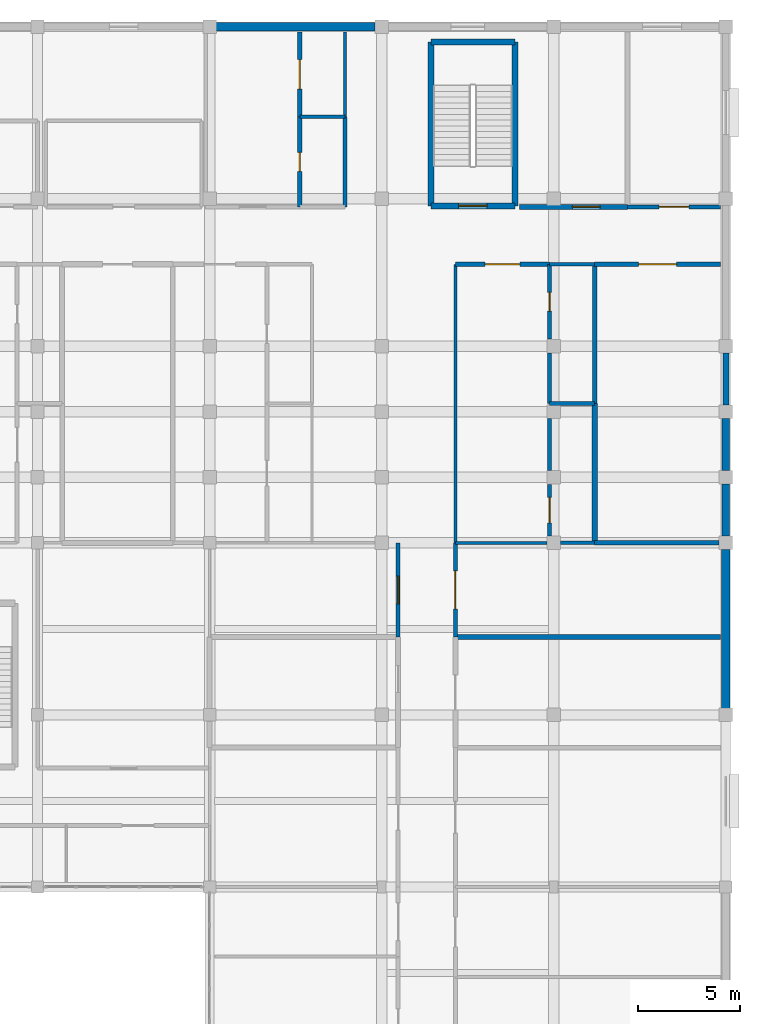
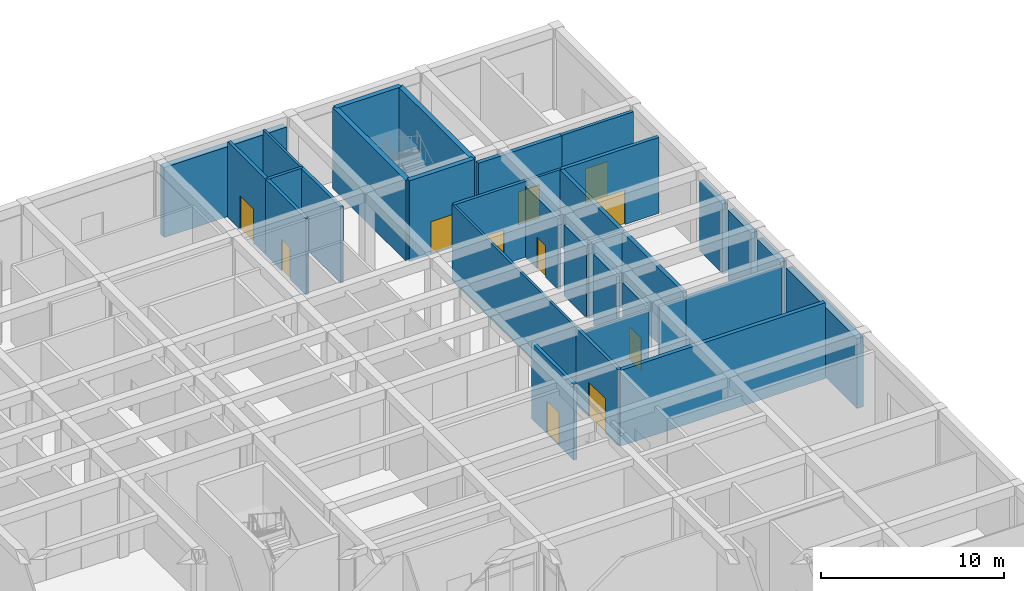
# One storey, part 70 of 89: 33 walls, 11 doors, 11 openings.
"""IFC4 building model written with IfcOpenShell, lengths in metres."""

from ifc_helpers import new_model, si_unit, direction, frame, frame_2d, origin, place, context, subcontext, project, spatial, rectangle, extrude, material, layer, layer_set, type_object, element, fill, save


model = new_model("IFC4")

# Units and contexts
model_context = context("Model", 3, precision=1e-05, world=origin(), true_north=direction((0.0, 1.0)))
body_context = subcontext(model_context, "Body", "Model", "MODEL_VIEW")
ifc_project = project(units=[si_unit("LENGTHUNIT", "METRE"), si_unit("AREAUNIT", "SQUARE_METRE"), si_unit("VOLUMEUNIT", "CUBIC_METRE"), si_unit("PLANEANGLEUNIT", "RADIAN"), si_unit("MASSUNIT", "GRAM", prefix="KILO")], contexts=[model_context])

# Site, building, storey
site_placement = place(None, origin())
site = spatial("IfcSite", under=ifc_project, at=site_placement, CompositionType="ELEMENT")
building_placement = place(site_placement, origin())
building = spatial("IfcBuilding", under=site, at=building_placement, Name="Varncliffe General Hospital", CompositionType="ELEMENT")
storey_placement = place(building_placement, frame((0.0, 0.0, 10.800048828125)))
storey = spatial("IfcBuildingStorey", under=building, at=storey_placement, Name="L02", CompositionType="ELEMENT", Elevation=10.800048828125)

# Walls
ifc_material_1 = material(Name="Precast concrete C40/50 with insulated cream lime-cement stucco", Category="concrete")
ifc_layer_1 = layer(ifc_material_1, 0.3798828125)
ifc_layer_set_1 = layer_set([ifc_layer_1], Name="Precast concrete C40/50 with insulated cream lime-cement stucco")
wall_type_1 = type_object("IfcWallType", Name="Exterior Insulated Stucco Wall EW26 (380mm)", PredefinedType="SOLIDWALL", material=ifc_layer_set_1)
wall_1_placement = place(storey_placement, frame((176.39990234375, 105.677001953125, 0.0), z_axis=(0.0, 0.0, 1.0), x_axis=(0.0, -1.0, 0.0)))
element("IfcWall", 1, at=wall_1_placement, inside=storey, type_object=wall_type_1, Name="L02 Exterior Stucco Wall EW26-197", PredefinedType="SOLIDWALL", context=body_context, shape_type="SweptSolid", body=[
    extrude(rectangle(XDim=2.553955078125, YDim=0.3798828125, at=frame_2d((1.27685546875, 0.0))), origin(), (0.0, 0.0, 1.0), 4.679931640625),
])
ifc_layer_2 = layer(ifc_material_1, 0.2900390625)
ifc_layer_set_2 = layer_set([ifc_layer_2], Name="Precast concrete C40/50 with insulated cream lime-cement stucco")
wall_type_2 = type_object("IfcWallType", Name="Exterior Insulated Stucco Wall EW31 (290mm)", PredefinedType="SOLIDWALL", material=ifc_layer_set_2)
wall_2_placement = place(storey_placement, frame((176.39990234375, 108.876953125, 0.0), z_axis=(0.0, 0.0, 1.0), x_axis=(0.0, -1.0, 0.0)))
element("IfcWall", 2, at=wall_2_placement, inside=storey, type_object=wall_type_2, Name="L02 Exterior Stucco Wall EW31-196", PredefinedType="SOLIDWALL", context=body_context, shape_type="SweptSolid", body=[
    extrude(rectangle(XDim=2.553955078125, YDim=0.2900390625, at=frame_2d((1.27685546875, 0.0))), origin(), (0.0, 0.0, 1.0), 4.679931640625),
])
ifc_layer_3 = layer(ifc_material_1, 0.35009765625)
ifc_layer_set_3 = layer_set([ifc_layer_3], Name="Precast concrete C40/50 with insulated cream lime-cement stucco")
wall_type_3 = type_object("IfcWallType", Name="Exterior Insulated Stucco Wall EW37 (350mm)", PredefinedType="SOLIDWALL", material=ifc_layer_set_3)
wall_3_placement = place(storey_placement, frame((176.39990234375, 102.47705078125, 0.0), z_axis=(0.0, 0.0, 1.0), x_axis=(0.0, -1.0, 0.0)))
element("IfcWall", 3, at=wall_3_placement, inside=storey, type_object=wall_type_3, Name="L02 Exterior Stucco Wall EW37-198", PredefinedType="SOLIDWALL", context=body_context, shape_type="SweptSolid", body=[
    extrude(rectangle(XDim=2.553955078125, YDim=0.35009765625, at=frame_2d((1.27685546875, 0.0))), origin(), (0.0, 0.0, 1.0), 4.679931640625),
])
ifc_layer_4 = layer(ifc_material_1, 0.39990234375)
ifc_layer_set_4 = layer_set([ifc_layer_4], Name="Precast concrete C40/50 with insulated cream lime-cement stucco")
wall_type_4 = type_object("IfcWallType", Name="Exterior Insulated Stucco Wall EW47 (400mm)", PredefinedType="SOLIDWALL", material=ifc_layer_set_4)
for number, where, z_axis, x_axis, name in (
    (4, (151.52294921875, 124.800048828125, 0.0), (0.0, 0.0, 1.0), (1.0, 0.0, 0.0), "L02 Exterior Stucco Wall EW47-191"),
    (5, (176.39990234375, 99.277099609375, 0.0), (0.0, 0.0, 1.0), (0.0, -1.0, 0.0), "L02 Exterior Stucco Wall EW47-199"),
):
    element("IfcWall", number, at=place(storey_placement, frame(where, z_axis=z_axis, x_axis=x_axis)), inside=storey, type_object=wall_type_4, Name=name, PredefinedType="SOLIDWALL", context=body_context, shape_type="SweptSolid", body=[
        extrude(rectangle(XDim=7.754150390625, YDim=0.39990234375, at=frame_2d((3.876953125, 0.0))), origin(), (0.0, 0.0, 1.0), 4.679931640625),
    ])
ifc_material_2 = material(Name="Acoustic clinical gypsum stud partition assembly", Category="gypsum")
ifc_layer_5 = layer(ifc_material_2, 0.169921875)
ifc_layer_set_5 = layer_set([ifc_layer_5], Name="Acoustic clinical gypsum stud partition assembly")
wall_type_5 = type_object("IfcWallType", Name="Interior Partitioning IW20 (170mm)", PredefinedType="PARTITIONING", material=ifc_layer_set_5)
wall_4_placement = place(storey_placement, frame((168.340087890625, 99.60009765625, 0.0), z_axis=(0.0, 0.0, 1.0), x_axis=(1.0, 0.0, 0.0)))
element("IfcWall", 6, at=wall_4_placement, inside=storey, type_object=wall_type_5, Name="L02 Interior Partition Wall IW20-1045", PredefinedType="PARTITIONING", context=body_context, shape_type="SweptSolid", body=[
    extrude(rectangle(XDim=1.659912109375, YDim=0.169921875, at=frame_2d((0.830078125, 0.0))), origin(), (0.0, 0.0, 1.0), 4.73486328125),
])
ifc_layer_6 = layer(ifc_material_2, 0.14990234375)
ifc_layer_set_6 = layer_set([ifc_layer_6], Name="Acoustic clinical gypsum stud partition assembly")
wall_type_6 = type_object("IfcWallType", Name="Interior Partitioning IW35 (150mm)", PredefinedType="PARTITIONING", material=ifc_layer_set_6)
wall_5_placement = place(storey_placement, frame((163.199951171875, 99.60009765625, 0.0), z_axis=(0.0, 0.0, 1.0), x_axis=(1.0, 0.0, 0.0)))
element("IfcWall", 7, at=wall_5_placement, inside=storey, type_object=wall_type_6, Name="L02 Interior Partition Wall IW35-1044", PredefinedType="PARTITIONING", context=body_context, shape_type="SweptSolid", body=[
    extrude(rectangle(XDim=4.4599609375, YDim=0.14990234375, at=frame_2d((2.22998046875, 0.0))), origin(), (0.0, 0.0, 1.0), 4.73486328125),
])
wall_6_placement = place(storey_placement, frame((157.800048828125, 120.39990234375, 0.0), z_axis=(0.0, 0.0, 1.0), x_axis=(0.0, 1.0, 0.0)))
element("IfcWall", 8, at=wall_6_placement, inside=storey, type_object=wall_type_6, Name="L02 Interior Partition Wall IW35-1289", PredefinedType="PARTITIONING", context=body_context, shape_type="SweptSolid", body=[
    extrude(rectangle(XDim=4.14013671875, YDim=0.14990234375, at=frame_2d((2.070068359375, 0.0))), origin(), (0.0, 0.0, 1.0), 5.070068359375),
])
wall_7_placement = place(storey_placement, frame((163.199951171875, 99.60009765625, 0.0), z_axis=(0.0, 0.0, 1.0), x_axis=(0.0, 1.0, 0.0)))
element("IfcWall", 9, at=wall_7_placement, inside=storey, type_object=wall_type_6, Name="L02 Interior Partition Wall IW35-1314", PredefinedType="PARTITIONING", context=body_context, shape_type="SweptSolid", body=[
    extrude(rectangle(XDim=13.599853515625, YDim=0.14990234375, at=frame_2d((6.7998046875, 0.0))), origin(), (0.0, 0.0, 1.0), 5.070068359375),
])
ifc_material_3 = material(Name="Fire-rated gypsum and mineral-wool partition assembly", Category="gypsum")
ifc_layer_7 = layer(ifc_material_3, 0.25)
ifc_layer_set_7 = layer_set([ifc_layer_7], Name="Fire-rated gypsum and mineral-wool partition assembly")
wall_type_7 = type_object("IfcWallType", Name="Interior Partitioning PW38 (250mm)", PredefinedType="PARTITIONING", material=ifc_layer_set_7)
wall_8_placement = place(storey_placement, frame((163.199951171875, 95.0, 0.0), z_axis=(0.0, 0.0, 1.0), x_axis=(1.0, 0.0, 0.0)))
element("IfcWall", 10, at=wall_8_placement, inside=storey, type_object=wall_type_7, Name="L02 Interior Partition Wall PW38-991", PredefinedType="PARTITIONING", context=body_context, shape_type="SweptSolid", body=[
    extrude(rectangle(XDim=12.93994140625, YDim=0.25, at=frame_2d((6.469970703125, 0.0))), origin(), (0.0, 0.0, 1.0), 5.070068359375),
])

# Wall, opening, door
wall_9_placement = place(storey_placement, frame((166.334716796875, 116.0, 0.0), z_axis=(0.0, 0.0, 1.0), x_axis=(1.0, 0.0, 0.0)))
wall_9 = element("IfcWall", 11, at=wall_9_placement, inside=storey, type_object=wall_type_7, Name="L02 Interior Partition Wall PW38-1103", PredefinedType="PARTITIONING", context=body_context, shape_type="SweptSolid", body=[
    extrude(rectangle(XDim=5.265380859375, YDim=0.25, at=frame_2d((2.6328125, 0.0))), origin(), (0.0, 0.0, 1.0), 5.070068359375),
])
opening_1_placement = place(wall_9_placement, frame((2.576171875, 0.0, 0.0)))
opening_1 = element("IfcOpeningElement", 12, at=opening_1_placement, cuts=wall_9, Name="Opening DC85", PredefinedType="OPENING", context=body_context, shape_type="SweptSolid", body=[
    extrude(rectangle(XDim=1.35009765625, YDim=2.199951171875, at=frame_2d((0.675048828125, 1.10009765625))), frame((0.0, 0.135009765625, 0.0), z_axis=(0.0, -1.0, 0.0), x_axis=(1.0, 0.0, 0.0)), (0.0, 0.0, 1.0), 0.27001953125),
])
ifc_material_4 = material(Name="Fire-rated hospital steel-frame vision-panel door", Category="steel")
door_type_1 = type_object("IfcDoorType", Name="Interior Hospital Door DC85 (1350x2200)", OperationType="NOTDEFINED", PredefinedType="DOOR", material=ifc_material_4)
door_1_placement = place(opening_1_placement, origin())
door_1 = element("IfcDoor", 13, at=door_1_placement, inside=storey, type_object=door_type_1, Name="L02 Surgical Sub-Sterile Utility Store 157 Door", OperationType="SINGLE_SWING_RIGHT", OverallHeight=2.199951171875, OverallWidth=1.35009765625, PredefinedType="DOOR", context=body_context, shape_type="SweptSolid", body=[
    extrude(rectangle(XDim=1.35009765625, YDim=2.199951171875, at=frame_2d((0.675048828125, 1.10009765625))), frame((0.0, 0.02490234375, 0.0), z_axis=(0.0, -1.0, 0.0), x_axis=(1.0, 0.0, 0.0)), (0.0, 0.0, 1.0), 0.050048828125),
])
fill(opening_1, door_1)

# Walls
wall_10_placement = place(storey_placement, frame((170.0, 99.60009765625, 0.0), z_axis=(0.0, 0.0, 1.0), x_axis=(0.0, 1.0, 0.0)))
element("IfcWall", 14, at=wall_10_placement, inside=storey, type_object=wall_type_7, Name="L02 Interior Partition Wall PW38-1319", PredefinedType="PARTITIONING", context=body_context, shape_type="SweptSolid", body=[
    extrude(rectangle(XDim=6.7998046875, YDim=0.25, at=frame_2d((3.39990234375, 0.0))), origin(), (0.0, 0.0, 1.0), 5.070068359375),
])
ifc_layer_8 = layer(ifc_material_3, 0.22998046875)
ifc_layer_set_8 = layer_set([ifc_layer_8], Name="Fire-rated gypsum and mineral-wool partition assembly")
wall_type_8 = type_object("IfcWallType", Name="Interior Partitioning PW48 (230mm)", PredefinedType="PARTITIONING", material=ifc_layer_set_8)
wall_11_placement = place(storey_placement, frame((170.0, 99.60009765625, 0.0), z_axis=(0.0, 0.0, 1.0), x_axis=(1.0, 0.0, 0.0)))
element("IfcWall", 15, at=wall_11_placement, inside=storey, type_object=wall_type_8, Name="L02 Interior Partition Wall PW48-1046", PredefinedType="PARTITIONING", context=body_context, shape_type="SweptSolid", body=[
    extrude(rectangle(XDim=6.06005859375, YDim=0.22998046875, at=frame_2d((3.030029296875, 0.0))), origin(), (0.0, 0.0, 1.0), 4.73486328125),
])

# Wall, opening, door
wall_12_placement = place(storey_placement, frame((170.0, 113.199951171875, 0.0), z_axis=(0.0, 0.0, 1.0), x_axis=(1.0, 0.0, 0.0)))
wall_12 = element("IfcWall", 16, at=wall_12_placement, inside=storey, type_object=wall_type_8, Name="L02 Interior Partition Wall PW48-1090", PredefinedType="PARTITIONING", context=body_context, shape_type="SweptSolid", body=[
    extrude(rectangle(XDim=6.139892578125, YDim=0.22998046875, at=frame_2d((3.06982421875, 0.0))), origin(), (0.0, 0.0, 1.0), 5.070068359375),
])
opening_2_placement = place(wall_12_placement, frame((2.14501953125, 0.0, 0.0)))
opening_2 = element("IfcOpeningElement", 17, at=opening_2_placement, cuts=wall_12, Name="Opening DC38", PredefinedType="OPENING", context=body_context, shape_type="SweptSolid", body=[
    extrude(rectangle(XDim=1.85009765625, YDim=2.300048828125, at=frame_2d((0.925048828125, 1.14990234375))), frame((0.0, 0.125, 0.0), z_axis=(0.0, -1.0, 0.0), x_axis=(1.0, 0.0, 0.0)), (0.0, 0.0, 1.0), 0.25),
])
door_type_2 = type_object("IfcDoorType", Name="Interior Hospital Door DC38 (1850x2300)", OperationType="NOTDEFINED", PredefinedType="DOOR", material=ifc_material_4)
door_2_placement = place(opening_2_placement, frame((1.85009765625, 0.0, 0.0), z_axis=(0.0, 0.0, 1.0), x_axis=(-1.0, 0.0, 0.0)))
door_2 = element("IfcDoor", 18, at=door_2_placement, inside=storey, type_object=door_type_2, Name="L02 Surgical Sub-Sterile Utility Store 145 Door", OperationType="SINGLE_SWING_RIGHT", OverallHeight=2.300048828125, OverallWidth=1.85009765625, PredefinedType="DOOR", context=body_context, shape_type="SweptSolid", body=[
    extrude(rectangle(XDim=1.85009765625, YDim=2.300048828125, at=frame_2d((0.925048828125, 1.14990234375))), frame((0.0, 0.02490234375, 0.0), z_axis=(0.0, -1.0, 0.0), x_axis=(1.0, 0.0, 0.0)), (0.0, 0.0, 1.0), 0.050048828125),
])
fill(opening_2, door_2)

# Wall
wall_13_placement = place(storey_placement, frame((170.0, 106.39990234375, 0.0), z_axis=(0.0, 0.0, 1.0), x_axis=(0.0, 1.0, 0.0)))
element("IfcWall", 19, at=wall_13_placement, inside=storey, type_object=wall_type_8, Name="L02 Interior Partition Wall PW48-1320", PredefinedType="PARTITIONING", context=body_context, shape_type="SweptSolid", body=[
    extrude(rectangle(XDim=6.800048828125, YDim=0.22998046875, at=frame_2d((3.39990234375, 0.0))), origin(), (0.0, 0.0, 1.0), 5.070068359375),
])

# Wall, opening, door
ifc_layer_9 = layer(ifc_material_3, 0.199951171875)
ifc_layer_set_9 = layer_set([ifc_layer_9], Name="Fire-rated gypsum and mineral-wool partition assembly")
wall_type_9 = type_object("IfcWallType", Name="Interior Partitioning PW63 (200mm)", PredefinedType="PARTITIONING", material=ifc_layer_set_9)
wall_14_placement = place(storey_placement, frame((163.199951171875, 113.199951171875, 0.0), z_axis=(0.0, 0.0, 1.0), x_axis=(1.0, 0.0, 0.0)))
wall_14 = element("IfcWall", 20, at=wall_14_placement, inside=storey, type_object=wall_type_9, Name="L02 Interior Partition Wall PW63-1088", PredefinedType="PARTITIONING", context=body_context, shape_type="SweptSolid", body=[
    extrude(rectangle(XDim=4.60009765625, YDim=0.199951171875, at=frame_2d((2.300048828125, 0.0))), origin(), (0.0, 0.0, 1.0), 5.070068359375),
])
opening_3_placement = place(wall_14_placement, frame((1.449951171875, 0.0, 0.0)))
opening_3 = element("IfcOpeningElement", 21, at=opening_3_placement, cuts=wall_14, Name="Opening DC50", PredefinedType="OPENING", context=body_context, shape_type="SweptSolid", body=[
    extrude(rectangle(XDim=1.699951171875, YDim=2.300048828125, at=frame_2d((0.85009765625, 1.14990234375))), frame((0.0, 0.10986328125, 0.0), z_axis=(0.0, -1.0, 0.0), x_axis=(1.0, 0.0, 0.0)), (0.0, 0.0, 1.0), 0.219970703125),
])
door_type_3 = type_object("IfcDoorType", Name="Interior Hospital Door DC50 (1700x2300)", OperationType="NOTDEFINED", PredefinedType="DOOR", material=ifc_material_4)
door_3_placement = place(opening_3_placement, frame((1.699951171875, 0.0, 0.0), z_axis=(0.0, 0.0, 1.0), x_axis=(-1.0, 0.0, 0.0)))
door_3 = element("IfcDoor", 22, at=door_3_placement, inside=storey, type_object=door_type_3, Name="L02 Surgical Inpatient Ward Room 142 Door", OperationType="SINGLE_SWING_LEFT", OverallHeight=2.300048828125, OverallWidth=1.699951171875, PredefinedType="DOOR", context=body_context, shape_type="SweptSolid", body=[
    extrude(rectangle(XDim=1.699951171875, YDim=2.300048828125, at=frame_2d((0.85009765625, 1.14990234375))), frame((0.0, 0.02490234375, 0.0), z_axis=(0.0, -1.0, 0.0), x_axis=(1.0, 0.0, 0.0)), (0.0, 0.0, 1.0), 0.050048828125),
])
fill(opening_3, door_3)

wall_15_placement = place(storey_placement, frame((171.60009765625, 116.0, 0.0), z_axis=(0.0, 0.0, 1.0), x_axis=(1.0, 0.0, 0.0)))
wall_15 = element("IfcWall", 23, at=wall_15_placement, inside=storey, type_object=wall_type_9, Name="L02 Interior Partition Wall PW63-1104", PredefinedType="PARTITIONING", context=body_context, shape_type="SweptSolid", body=[
    extrude(rectangle(XDim=4.539794921875, YDim=0.199951171875, at=frame_2d((2.27001953125, 0.0))), origin(), (0.0, 0.0, 1.0), 5.070068359375),
])
opening_4_placement = place(wall_15_placement, frame((1.544921875, 0.0, 0.0)))
opening_4 = element("IfcOpeningElement", 24, at=opening_4_placement, cuts=wall_15, Name="Opening DC66", PredefinedType="OPENING", context=body_context, shape_type="SweptSolid", body=[
    extrude(rectangle(XDim=1.449951171875, YDim=2.25, at=frame_2d((0.72509765625, 1.125))), frame((0.0, 0.10986328125, 0.0), z_axis=(0.0, -1.0, 0.0), x_axis=(1.0, 0.0, 0.0)), (0.0, 0.0, 1.0), 0.219970703125),
])
door_type_4 = type_object("IfcDoorType", Name="Interior Hospital Door DC66 (1450x2250)", OperationType="NOTDEFINED", PredefinedType="DOOR", material=ifc_material_4)
door_4_placement = place(opening_4_placement, origin())
door_4 = element("IfcDoor", 25, at=door_4_placement, inside=storey, type_object=door_type_4, Name="L02 Surgical Inpatient Ward Room 158 Door", OperationType="SINGLE_SWING_LEFT", OverallHeight=2.25, OverallWidth=1.449951171875, PredefinedType="DOOR", context=body_context, shape_type="SweptSolid", body=[
    extrude(rectangle(XDim=1.449951171875, YDim=2.25, at=frame_2d((0.72509765625, 1.125))), frame((0.0, 0.02490234375, 0.0), z_axis=(0.0, -1.0, 0.0), x_axis=(1.0, 0.0, 0.0)), (0.0, 0.0, 1.0), 0.050048828125),
])
fill(opening_4, door_4)

wall_16_placement = place(storey_placement, frame((155.60009765625, 116.0, 0.0), z_axis=(0.0, 0.0, 1.0), x_axis=(0.0, 1.0, 0.0)))
wall_16 = element("IfcWall", 26, at=wall_16_placement, inside=storey, type_object=wall_type_9, Name="L02 Interior Partition Wall PW63-1284", PredefinedType="PARTITIONING", context=body_context, shape_type="SweptSolid", body=[
    extrude(rectangle(XDim=4.39990234375, YDim=0.199951171875, at=frame_2d((2.199951171875, 0.0))), origin(), (0.0, 0.0, 1.0), 5.070068359375),
])
opening_5_placement = place(wall_16_placement, frame((1.739990234375, 0.0, 0.0)))
opening_5 = element("IfcOpeningElement", 27, at=opening_5_placement, cuts=wall_16, Name="Opening DI70", PredefinedType="OPENING", context=body_context, shape_type="SweptSolid", body=[
    extrude(rectangle(XDim=0.919921875, YDim=2.10009765625, at=frame_2d((0.4599609375, 1.050048828125))), frame((0.0, 0.10986328125, 0.0), z_axis=(0.0, -1.0, 0.0), x_axis=(1.0, 0.0, 0.0)), (0.0, 0.0, 1.0), 0.219970703125),
])
ifc_material_5 = material(Name="Solid-core antimicrobial hospital oak veneer door", Category="wood")
door_type_5 = type_object("IfcDoorType", Name="Interior Hospital Door DI70 (920x2100)", OperationType="NOTDEFINED", PredefinedType="DOOR", material=ifc_material_5)
door_5_placement = place(opening_5_placement, frame((0.919921875, 0.0, 0.0), z_axis=(0.0, 0.0, 1.0), x_axis=(-1.0, 0.0, 0.0)))
door_5 = element("IfcDoor", 28, at=door_5_placement, inside=storey, type_object=door_type_5, Name="L02 En-Suite Bathroom 155 Door", OperationType="SINGLE_SWING_LEFT", OverallHeight=2.10009765625, OverallWidth=0.919921875, PredefinedType="DOOR", context=body_context, shape_type="SweptSolid", body=[
    extrude(rectangle(XDim=0.919921875, YDim=2.10009765625, at=frame_2d((0.4599609375, 1.050048828125))), frame((0.0, 0.02490234375, 0.0), z_axis=(0.0, -1.0, 0.0), x_axis=(1.0, 0.0, 0.0)), (0.0, 0.0, 1.0), 0.050048828125),
])
fill(opening_5, door_5)

wall_17_placement = place(storey_placement, frame((155.60009765625, 120.39990234375, 0.0), z_axis=(0.0, 0.0, 1.0), x_axis=(0.0, 1.0, 0.0)))
wall_17 = element("IfcWall", 29, at=wall_17_placement, inside=storey, type_object=wall_type_9, Name="L02 Interior Partition Wall PW63-1285", PredefinedType="PARTITIONING", context=body_context, shape_type="SweptSolid", body=[
    extrude(rectangle(XDim=4.14013671875, YDim=0.199951171875, at=frame_2d((2.070068359375, 0.0))), origin(), (0.0, 0.0, 1.0), 5.070068359375),
])
opening_6_placement = place(wall_17_placement, frame((1.344970703125, 0.0, 0.0)))
opening_6 = element("IfcOpeningElement", 30, at=opening_6_placement, cuts=wall_17, Name="Opening DC66", PredefinedType="OPENING", context=body_context, shape_type="SweptSolid", body=[
    extrude(rectangle(XDim=1.449951171875, YDim=2.25, at=frame_2d((0.72509765625, 1.125))), frame((0.0, 0.10986328125, 0.0), z_axis=(0.0, -1.0, 0.0), x_axis=(1.0, 0.0, 0.0)), (0.0, 0.0, 1.0), 0.219970703125),
])
door_6_placement = place(opening_6_placement, frame((1.449951171875, 0.0, 0.0), z_axis=(0.0, 0.0, 1.0), x_axis=(-1.0, 0.0, 0.0)))
door_6 = element("IfcDoor", 31, at=door_6_placement, inside=storey, type_object=door_type_4, Name="L02 Patient Medication and Hygiene Bay 156 Door", OperationType="SINGLE_SWING_RIGHT", OverallHeight=2.25, OverallWidth=1.449951171875, PredefinedType="DOOR", context=body_context, shape_type="SweptSolid", body=[
    extrude(rectangle(XDim=1.449951171875, YDim=2.25, at=frame_2d((0.72509765625, 1.125))), frame((0.0, 0.02490234375, 0.0), z_axis=(0.0, -1.0, 0.0), x_axis=(1.0, 0.0, 0.0)), (0.0, 0.0, 1.0), 0.050048828125),
])
fill(opening_6, door_6)

wall_18_placement = place(storey_placement, frame((160.39990234375, 95.0, 0.0), z_axis=(0.0, 0.0, 1.0), x_axis=(0.0, 1.0, 0.0)))
wall_18 = element("IfcWall", 32, at=wall_18_placement, inside=storey, type_object=wall_type_9, Name="L02 Interior Partition Wall PW63-1302", PredefinedType="PARTITIONING", context=body_context, shape_type="SweptSolid", body=[
    extrude(rectangle(XDim=4.60009765625, YDim=0.199951171875, at=frame_2d((2.300048828125, 0.0))), origin(), (0.0, 0.0, 1.0), 5.070068359375),
])
opening_7_placement = place(wall_18_placement, frame((1.625, 0.0, 0.0)))
opening_7 = element("IfcOpeningElement", 33, at=opening_7_placement, cuts=wall_18, Name="Opening DC85", PredefinedType="OPENING", context=body_context, shape_type="SweptSolid", body=[
    extrude(rectangle(XDim=1.35009765625, YDim=2.199951171875, at=frame_2d((0.675048828125, 1.10009765625))), frame((0.0, 0.10986328125, 0.0), z_axis=(0.0, -1.0, 0.0), x_axis=(1.0, 0.0, 0.0)), (0.0, 0.0, 1.0), 0.219970703125),
])
door_7_placement = place(opening_7_placement, origin())
door_7 = element("IfcDoor", 34, at=door_7_placement, inside=storey, type_object=door_type_1, Name="L02 Surgical Inpatient Ward Room 164 Door", OperationType="SINGLE_SWING_LEFT", OverallHeight=2.199951171875, OverallWidth=1.35009765625, PredefinedType="DOOR", context=body_context, shape_type="SweptSolid", body=[
    extrude(rectangle(XDim=1.35009765625, YDim=2.199951171875, at=frame_2d((0.675048828125, 1.10009765625))), frame((0.0, 0.02490234375, 0.0), z_axis=(0.0, -1.0, 0.0), x_axis=(1.0, 0.0, 0.0)), (0.0, 0.0, 1.0), 0.050048828125),
])
fill(opening_7, door_7)

wall_19_placement = place(storey_placement, frame((163.199951171875, 95.0, 0.0), z_axis=(0.0, 0.0, 1.0), x_axis=(0.0, 1.0, 0.0)))
wall_19 = element("IfcWall", 35, at=wall_19_placement, inside=storey, type_object=wall_type_9, Name="L02 Interior Partition Wall PW63-1313", PredefinedType="PARTITIONING", context=body_context, shape_type="SweptSolid", body=[
    extrude(rectangle(XDim=4.60009765625, YDim=0.199951171875, at=frame_2d((2.300048828125, 0.0))), origin(), (0.0, 0.0, 1.0), 5.070068359375),
])
opening_8_placement = place(wall_19_placement, frame((1.375, 0.0, 0.0)))
opening_8 = element("IfcOpeningElement", 36, at=opening_8_placement, cuts=wall_19, Name="Opening DC38", PredefinedType="OPENING", context=body_context, shape_type="SweptSolid", body=[
    extrude(rectangle(XDim=1.85009765625, YDim=2.300048828125, at=frame_2d((0.925048828125, 1.14990234375))), frame((0.0, 0.10986328125, 0.0), z_axis=(0.0, -1.0, 0.0), x_axis=(1.0, 0.0, 0.0)), (0.0, 0.0, 1.0), 0.219970703125),
])
door_8_placement = place(opening_8_placement, frame((1.85009765625, 0.0, 0.0), z_axis=(0.0, 0.0, 1.0), x_axis=(-1.0, 0.0, 0.0)))
door_8 = element("IfcDoor", 37, at=door_8_placement, inside=storey, type_object=door_type_2, Name="L02 Surgical Inpatient Ward Room 167 Door", OperationType="SINGLE_SWING_RIGHT", OverallHeight=2.300048828125, OverallWidth=1.85009765625, PredefinedType="DOOR", context=body_context, shape_type="SweptSolid", body=[
    extrude(rectangle(XDim=1.85009765625, YDim=2.300048828125, at=frame_2d((0.925048828125, 1.14990234375))), frame((0.0, 0.02490234375, 0.0), z_axis=(0.0, -1.0, 0.0), x_axis=(1.0, 0.0, 0.0)), (0.0, 0.0, 1.0), 0.050048828125),
])
fill(opening_8, door_8)

wall_20_placement = place(storey_placement, frame((167.800048828125, 99.93994140625, 0.0), z_axis=(0.0, 0.0, 1.0), x_axis=(0.0, 1.0, 0.0)))
wall_20 = element("IfcWall", 38, at=wall_20_placement, inside=storey, type_object=wall_type_9, Name="L02 Interior Partition Wall PW63-1315", PredefinedType="PARTITIONING", context=body_context, shape_type="SweptSolid", body=[
    extrude(rectangle(XDim=2.52001953125, YDim=0.199951171875, at=frame_2d((1.260009765625, 0.0))), origin(), (0.0, 0.0, 1.0), 4.73486328125),
])
opening_9_placement = place(wall_20_placement, frame((0.635009765625, 0.0, 0.0)))
opening_9 = element("IfcOpeningElement", 39, at=opening_9_placement, cuts=wall_20, Name="Opening DC44", PredefinedType="OPENING", context=body_context, shape_type="SweptSolid", body=[
    extrude(rectangle(XDim=1.25, YDim=2.14990234375, at=frame_2d((0.625, 1.074951171875))), frame((0.0, 0.10986328125, 0.0), z_axis=(0.0, -1.0, 0.0), x_axis=(1.0, 0.0, 0.0)), (0.0, 0.0, 1.0), 0.219970703125),
])
door_type_6 = type_object("IfcDoorType", Name="Interior Hospital Door DC44 (1250x2150)", OperationType="NOTDEFINED", PredefinedType="DOOR", material=ifc_material_4)
door_9_placement = place(opening_9_placement, frame((1.25, 0.0, 0.0), z_axis=(0.0, 0.0, 1.0), x_axis=(-1.0, 0.0, 0.0)))
door_9 = element("IfcDoor", 40, at=door_9_placement, inside=storey, type_object=door_type_6, Name="L02 Patient Medication and Hygiene Bay 144 Door", OperationType="SINGLE_SWING_LEFT", OverallHeight=2.14990234375, OverallWidth=1.25, PredefinedType="DOOR", context=body_context, shape_type="SweptSolid", body=[
    extrude(rectangle(XDim=1.25, YDim=2.14990234375, at=frame_2d((0.625, 1.074951171875))), frame((0.0, 0.02490234375, 0.0), z_axis=(0.0, -1.0, 0.0), x_axis=(1.0, 0.0, 0.0)), (0.0, 0.0, 1.0), 0.050048828125),
])
fill(opening_9, door_9)

# Wall
wall_21_placement = place(storey_placement, frame((167.800048828125, 103.139892578125, 0.0), z_axis=(0.0, 0.0, 1.0), x_axis=(0.0, 1.0, 0.0)))
element("IfcWall", 41, at=wall_21_placement, inside=storey, type_object=wall_type_9, Name="L02 Interior Partition Wall PW63-1316", PredefinedType="PARTITIONING", context=body_context, shape_type="SweptSolid", body=[
    extrude(rectangle(XDim=2.52001953125, YDim=0.199951171875, at=frame_2d((1.260009765625, 0.0))), origin(), (0.0, 0.0, 1.0), 4.73486328125),
])

# Wall, opening, door
wall_22_placement = place(storey_placement, frame((167.800048828125, 109.5400390625, 0.0), z_axis=(0.0, 0.0, 1.0), x_axis=(0.0, 1.0, 0.0)))
wall_22 = element("IfcWall", 42, at=wall_22_placement, inside=storey, type_object=wall_type_9, Name="L02 Interior Partition Wall PW63-1317", PredefinedType="PARTITIONING", context=body_context, shape_type="SweptSolid", body=[
    extrude(rectangle(XDim=3.659912109375, YDim=0.199951171875, at=frame_2d((1.830078125, 0.0))), origin(), (0.0, 0.0, 1.0), 4.73486328125),
])
opening_10_placement = place(wall_22_placement, frame((1.3701171875, 0.0, 0.0)))
opening_10 = element("IfcOpeningElement", 43, at=opening_10_placement, cuts=wall_22, Name="Opening DI70", PredefinedType="OPENING", context=body_context, shape_type="SweptSolid", body=[
    extrude(rectangle(XDim=0.919921875, YDim=2.10009765625, at=frame_2d((0.4599609375, 1.050048828125))), frame((0.0, 0.10986328125, 0.0), z_axis=(0.0, -1.0, 0.0), x_axis=(1.0, 0.0, 0.0)), (0.0, 0.0, 1.0), 0.219970703125),
])
door_10_placement = place(opening_10_placement, frame((0.919921875, 0.0, 0.0), z_axis=(0.0, 0.0, 1.0), x_axis=(-1.0, 0.0, 0.0)))
door_10 = element("IfcDoor", 44, at=door_10_placement, inside=storey, type_object=door_type_5, Name="L02 En-Suite Bathroom 143 Door", OperationType="SINGLE_SWING_RIGHT", OverallHeight=2.10009765625, OverallWidth=0.919921875, PredefinedType="DOOR", context=body_context, shape_type="SweptSolid", body=[
    extrude(rectangle(XDim=0.919921875, YDim=2.10009765625, at=frame_2d((0.4599609375, 1.050048828125))), frame((0.0, 0.02490234375, 0.0), z_axis=(0.0, -1.0, 0.0), x_axis=(1.0, 0.0, 0.0)), (0.0, 0.0, 1.0), 0.050048828125),
])
fill(opening_10, door_10)

# Walls
wall_23_placement = place(storey_placement, frame((167.800048828125, 106.39990234375, 0.0), z_axis=(0.0, 0.0, 1.0), x_axis=(0.0, 1.0, 0.0)))
element("IfcWall", 45, at=wall_23_placement, inside=storey, type_object=wall_type_9, Name="L02 Interior Partition Wall PW63-1318", PredefinedType="PARTITIONING", context=body_context, shape_type="SweptSolid", body=[
    extrude(rectangle(XDim=2.460205078125, YDim=0.199951171875, at=frame_2d((1.22998046875, 0.0))), origin(), (0.0, 0.0, 1.0), 4.73486328125),
])
ifc_material_6 = material(Name="Moisture-resistant plumbing chase wall assembly", Category="gypsum")
ifc_layer_10 = layer(ifc_material_6, 0.18994140625)
ifc_layer_set_10 = layer_set([ifc_layer_10], Name="Moisture-resistant plumbing chase wall assembly")
wall_type_10 = type_object("IfcWallType", Name="Interior Plumbingwall MW17 (190mm)", PredefinedType="PLUMBINGWALL", material=ifc_layer_set_10)
for number, where, z_axis, x_axis, name in (
    (46, (167.800048828125, 106.39990234375, 0.0), (0.0, 0.0, 1.0), (1.0, 0.0, 0.0), "L02 Interior Plumbing Wall MW17-1062"),
    (47, (155.60009765625, 120.39990234375, 0.0), (0.0, 0.0, 1.0), (1.0, 0.0, 0.0), "L02 Interior Plumbing Wall MW17-1120"),
):
    element("IfcWall", number, at=place(storey_placement, frame(where, z_axis=z_axis, x_axis=x_axis)), inside=storey, type_object=wall_type_10, Name=name, PredefinedType="PLUMBINGWALL", context=body_context, shape_type="SweptSolid", body=[
        extrude(rectangle(XDim=2.199951171875, YDim=0.18994140625, at=frame_2d((1.10009765625, 0.0))), origin(), (0.0, 0.0, 1.0), 5.070068359375),
    ])
wall_24_placement = place(storey_placement, frame((157.800048828125, 116.0, 0.0), z_axis=(0.0, 0.0, 1.0), x_axis=(0.0, 1.0, 0.0)))
element("IfcWall", 48, at=wall_24_placement, inside=storey, type_object=wall_type_10, Name="L02 Interior Plumbing Wall MW17-1288", PredefinedType="PLUMBINGWALL", context=body_context, shape_type="SweptSolid", body=[
    extrude(rectangle(XDim=4.39990234375, YDim=0.18994140625, at=frame_2d((2.199951171875, 0.0))), origin(), (0.0, 0.0, 1.0), 5.070068359375),
])
ifc_layer_11 = layer(ifc_material_6, 0.159912109375)
ifc_layer_set_11 = layer_set([ifc_layer_11], Name="Moisture-resistant plumbing chase wall assembly")
wall_type_11 = type_object("IfcWallType", Name="Interior Plumbingwall MW31 (160mm)", PredefinedType="PLUMBINGWALL", material=ifc_layer_set_11)
wall_25_placement = place(storey_placement, frame((167.800048828125, 113.199951171875, 0.0), z_axis=(0.0, 0.0, 1.0), x_axis=(1.0, 0.0, 0.0)))
element("IfcWall", 49, at=wall_25_placement, inside=storey, type_object=wall_type_11, Name="L02 Interior Plumbing Wall MW31-1089", PredefinedType="PLUMBINGWALL", context=body_context, shape_type="SweptSolid", body=[
    extrude(rectangle(XDim=2.199951171875, YDim=0.159912109375, at=frame_2d((1.10009765625, 0.0))), origin(), (0.0, 0.0, 1.0), 5.070068359375),
])
ifc_material_7 = material(Name="Concrete C40/50 (CSA A23.1 40 MPa)", Category="concrete")
ifc_layer_12 = layer(ifc_material_7, 0.300048828125)
ifc_layer_set_12 = layer_set([ifc_layer_12], Name="Concrete C40/50 (CSA A23.1 40 MPa)")
wall_type_12 = type_object("IfcWallType", Name="Reinforced Concrete Core Shear Wall CW12 (300mm)", PredefinedType="SHEAR", material=ifc_layer_set_12)
wall_26_placement = place(storey_placement, frame((166.10009765625, 116.050048828125, 0.0), z_axis=(0.0, 0.0, 1.0), x_axis=(0.0, 1.0, 0.0)))
element("IfcWall", 50, at=wall_26_placement, inside=storey, type_object=wall_type_12, Name="L02 ST04 Core Shear Wall L", PredefinedType="SHEAR", context=body_context, shape_type="SweptSolid", body=[
    extrude(rectangle(XDim=8.0, YDim=0.300048828125, at=frame_2d((4.0, 0.0))), origin(), (0.0, 0.0, 1.0), 5.39990234375),
])
wall_27_placement = place(storey_placement, frame((166.10009765625, 124.050048828125, 0.0), z_axis=(0.0, 0.0, 1.0), x_axis=(-1.0, 0.0, 0.0)))
element("IfcWall", 51, at=wall_27_placement, inside=storey, type_object=wall_type_12, Name="L02 ST04 Core Shear Wall F", PredefinedType="SHEAR", context=body_context, shape_type="SweptSolid", body=[
    extrude(rectangle(XDim=4.10009765625, YDim=0.300048828125, at=frame_2d((2.050048828125, 0.0))), origin(), (0.0, 0.0, 1.0), 5.39990234375),
])
wall_28_placement = place(storey_placement, frame((162.0, 124.050048828125, 0.0), z_axis=(0.0, 0.0, 1.0), x_axis=(0.0, -1.0, 0.0)))
element("IfcWall", 52, at=wall_28_placement, inside=storey, type_object=wall_type_12, Name="L02 ST04 Core Shear Wall R", PredefinedType="SHEAR", context=body_context, shape_type="SweptSolid", body=[
    extrude(rectangle(XDim=8.0, YDim=0.300048828125, at=frame_2d((4.0, 0.0))), origin(), (0.0, 0.0, 1.0), 5.39990234375),
])

# Wall, opening, door
wall_29_placement = place(storey_placement, frame((162.0, 116.050048828125, 0.0), z_axis=(0.0, 0.0, 1.0), x_axis=(1.0, 0.0, 0.0)))
wall_29 = element("IfcWall", 53, at=wall_29_placement, inside=storey, type_object=wall_type_12, Name="L02 ST04 Core Shear Wall N", PredefinedType="SHEAR", context=body_context, shape_type="SweptSolid", body=[
    extrude(rectangle(XDim=4.10009765625, YDim=0.300048828125, at=frame_2d((2.050048828125, 0.0))), origin(), (0.0, 0.0, 1.0), 5.39990234375),
])
opening_11_placement = place(wall_29_placement, frame((1.35009765625, 0.0, 0.0)))
opening_11 = element("IfcOpeningElement", 54, at=opening_11_placement, cuts=wall_29, Name="Opening DF81", PredefinedType="OPENING", context=body_context, shape_type="SweptSolid", body=[
    extrude(rectangle(XDim=1.39990234375, YDim=2.199951171875, at=frame_2d((0.699951171875, 1.10009765625))), frame((0.0, 0.16015625, 0.0), z_axis=(0.0, -1.0, 0.0), x_axis=(1.0, 0.0, 0.0)), (0.0, 0.0, 1.0), 0.320068359375),
])
door_type_7 = type_object("IfcDoorType", Name="Interior Hospital Door DF81 (1400x2200)", OperationType="NOTDEFINED", PredefinedType="DOOR", material=ifc_material_4)
door_11_placement = place(opening_11_placement, frame((1.39990234375, 0.0, 0.0), z_axis=(0.0, 0.0, 1.0), x_axis=(-1.0, 0.0, 0.0)))
door_11 = element("IfcDoor", 55, at=door_11_placement, inside=storey, type_object=door_type_7, Name="L02 ST04 Protected Exit Stair Door", OperationType="SINGLE_SWING_LEFT", OverallHeight=2.199951171875, OverallWidth=1.39990234375, PredefinedType="DOOR", context=body_context, shape_type="SweptSolid", body=[
    extrude(rectangle(XDim=1.39990234375, YDim=2.199951171875, at=frame_2d((0.699951171875, 1.10009765625))), frame((0.0, 0.02490234375, 0.0), z_axis=(0.0, -1.0, 0.0), x_axis=(1.0, 0.0, 0.0)), (0.0, 0.0, 1.0), 0.050048828125),
])
fill(opening_11, door_11)

save(model, "model.ifc")
